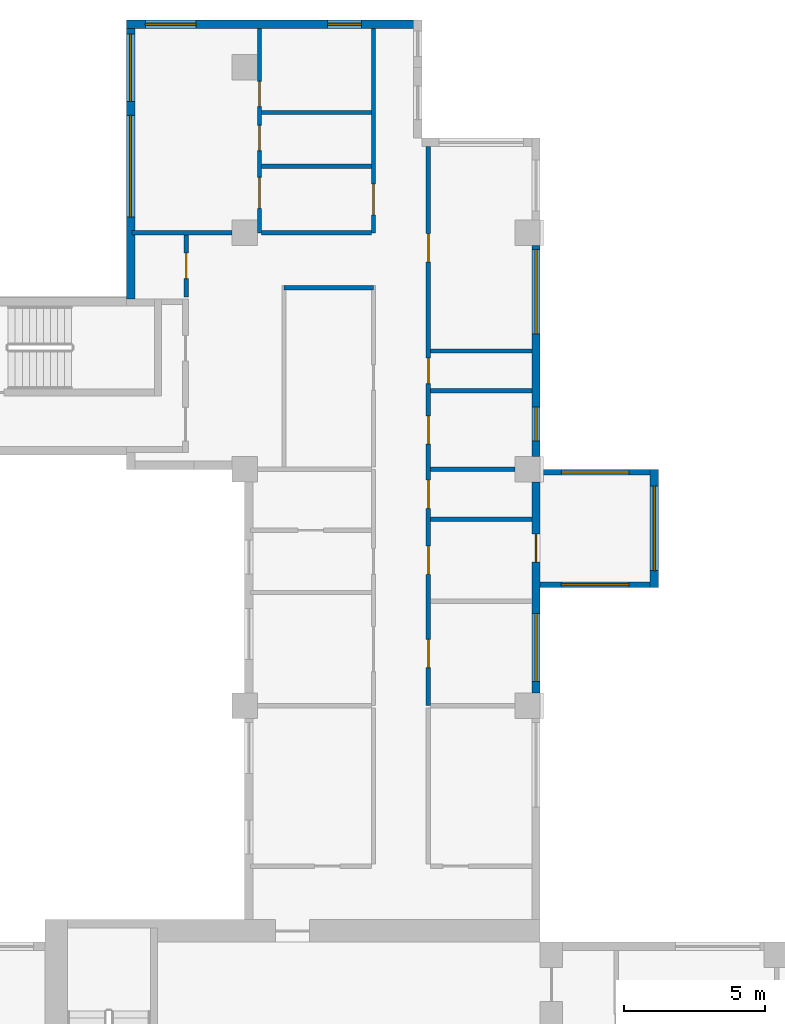
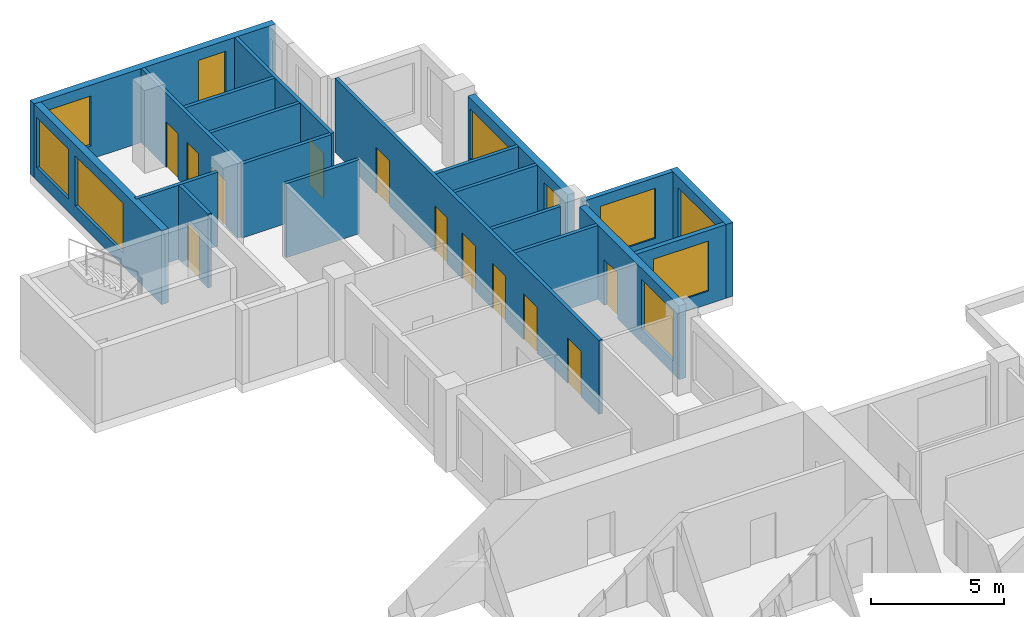
# One storey, part 7 of 12: 20 walls, 12 doors, 10 windows, 22 openings.
"""IFC4 building model written with IfcOpenShell, lengths in metres."""

from ifc_helpers import new_model, si_unit, direction, frame, frame_2d, origin, place, context, subcontext, project, spatial, rectangle, extrude, source, transform, mapped, material, layer, layer_set, type_object, element, fill, save


model = new_model("IFC4")

# Units and contexts
model_context = context("Model", 3, precision=1e-05, world=origin(), true_north=direction((0.0, 1.0)))
body_context = subcontext(model_context, "Body", "Model", "MODEL_VIEW")
ifc_project = project(units=[si_unit("LENGTHUNIT", "METRE"), si_unit("AREAUNIT", "SQUARE_METRE"), si_unit("VOLUMEUNIT", "CUBIC_METRE"), si_unit("PLANEANGLEUNIT", "RADIAN"), si_unit("MASSUNIT", "GRAM", prefix="KILO")], contexts=[model_context])

# Site, building, storey
site_placement = place(None, origin())
site = spatial("IfcSite", under=ifc_project, at=site_placement, CompositionType="ELEMENT")
building_placement = place(site_placement, origin())
building = spatial("IfcBuilding", under=site, at=building_placement, Name="Aurelian Terraces", CompositionType="ELEMENT")
storey_placement = place(building_placement, frame((0.0, 0.0, 189.2)))
storey = spatial("IfcBuildingStorey", under=building, at=storey_placement, Name="L41", CompositionType="ELEMENT", Elevation=189.2)

# Wall, openings, window, door
ifc_material_1 = material(Name="Terracotta rainscreen cladding", Category="masonry")
ifc_layer_1 = layer(ifc_material_1, 0.3)
ifc_layer_set_1 = layer_set([ifc_layer_1], Name="EW-300")
wall_type_1 = type_object("IfcWallType", Name="EW-300", PredefinedType="STANDARD", material=ifc_layer_set_1)
shared_shape_1 = source(origin(), body_context, "Body", "SweptSolid", [
    extrude(rectangle(XDim=7.5, YDim=0.3, at=frame_2d((3.75, 0.0))), origin(), (0.0, 0.0, 1.0), 3.4),
])
wall_1_placement = place(storey_placement, frame((20.85, 29.85, 0.0), z_axis=(0.0, 0.0, 1.0), x_axis=(0.0, 1.0, 0.0)))
wall_1 = element("IfcWall", 1, at=wall_1_placement, inside=storey, type_object=wall_type_1, Name="External wall L41 F08.19", PredefinedType="STANDARD", context=body_context, shape_type="MappedRepresentation", body=[
    mapped(shared_shape_1, transform((0.0, 0.0, 0.0), scale=1.0)),
])
shared_shape_2 = source(origin(), body_context, "Body", "SweptSolid", [
    extrude(rectangle(XDim=2.4, YDim=2.3, at=frame_2d((1.2, 1.15))), frame((0.0, 0.16, 0.0), z_axis=(0.0, -1.0, 0.0), x_axis=(1.0, 0.0, 0.0)), (0.0, 0.0, 1.0), 0.32),
])
opening_1_placement = place(wall_1_placement, frame((0.419, 0.0, 0.6)))
opening_1 = element("IfcOpeningElement", 2, at=opening_1_placement, cuts=wall_1, Name="Opening W2423", PredefinedType="OPENING", context=body_context, shape_type="MappedRepresentation", body=[
    mapped(shared_shape_2, transform((0.0, 0.0, 0.0), scale=1.0)),
])
shared_shape_3 = source(origin(), body_context, "Body", "SweptSolid", [
    extrude(rectangle(XDim=1.0, YDim=2.1, at=frame_2d((0.5, 1.05))), frame((0.0, 0.16, 0.0), z_axis=(0.0, -1.0, 0.0), x_axis=(1.0, 0.0, 0.0)), (0.0, 0.0, 1.0), 0.32),
])
opening_2_placement = place(wall_1_placement, frame((4.65, 0.0, 0.0)))
opening_2 = element("IfcOpeningElement", 3, at=opening_2_placement, cuts=wall_1, Name="Opening 841002", PredefinedType="OPENING", context=body_context, shape_type="MappedRepresentation", body=[
    mapped(shared_shape_3, transform((0.0, 0.0, 0.0), scale=1.0)),
])
ifc_material_2 = material(Name="Clear glazing", Category="glass")
window_type_1 = type_object("IfcWindowType", Name="W-2400x2300", PartitioningType="SINGLE_PANEL", PredefinedType="WINDOW", material=ifc_material_2)
shared_shape_4 = source(origin(), body_context, "Body", "SweptSolid", [
    extrude(rectangle(XDim=2.4, YDim=2.3, at=frame_2d((1.2, 1.15))), frame((0.0, 0.03, 0.0), z_axis=(0.0, -1.0, 0.0), x_axis=(1.0, 0.0, 0.0)), (0.0, 0.0, 1.0), 0.06),
])
window_1_placement = place(opening_1_placement, origin())
window_1 = element("IfcWindow", 4, at=window_1_placement, inside=storey, type_object=window_type_1, Name="Window L41 L41-F08-19-0", OverallHeight=2.3, OverallWidth=2.4, PartitioningType="SINGLE_PANEL", PredefinedType="WINDOW", context=body_context, shape_type="MappedRepresentation", body=[
    mapped(shared_shape_4, transform((0.0, 0.0, 0.0), scale=1.0)),
])
fill(opening_1, window_1)
ifc_material_3 = material(Name="Timber door leaf", Category="wood")
door_type_1 = type_object("IfcDoorType", Name="Room door 1000x2100 left", OperationType="SINGLE_SWING_LEFT", PredefinedType="DOOR", material=ifc_material_3)
shared_shape_5 = source(origin(), body_context, "Body", "SweptSolid", [
    extrude(rectangle(XDim=1.0, YDim=2.1, at=frame_2d((0.5, 1.05))), frame((0.0, 0.025, 0.0), z_axis=(0.0, -1.0, 0.0), x_axis=(1.0, 0.0, 0.0)), (0.0, 0.0, 1.0), 0.05),
])
door_1_placement = place(opening_2_placement, origin())
door_1 = element("IfcDoor", 5, at=door_1_placement, inside=storey, type_object=door_type_1, Name="Door 841002", OperationType="SINGLE_SWING_LEFT", OverallHeight=2.1, OverallWidth=1.0, PredefinedType="DOOR", context=body_context, shape_type="MappedRepresentation", body=[
    mapped(shared_shape_5, transform((0.0, 0.0, 0.0), scale=1.0)),
])
fill(opening_2, door_1)

# Wall, openings, windows
wall_2_placement = place(storey_placement, frame((20.85, 38.25, 0.0), z_axis=(0.0, 0.0, 1.0), x_axis=(0.0, 1.0, 0.0)))
wall_2 = element("IfcWall", 6, at=wall_2_placement, inside=storey, type_object=wall_type_1, Name="External wall L41 F08.20", PredefinedType="STANDARD", context=body_context, shape_type="MappedRepresentation", body=[
    mapped(shared_shape_1, transform((0.0, 0.0, 0.0), scale=1.0)),
])
shared_shape_6 = source(origin(), body_context, "Body", "SweptSolid", [
    extrude(rectangle(XDim=1.2, YDim=2.3, at=frame_2d((0.6, 1.15))), frame((0.0, 0.16, 0.0), z_axis=(0.0, -1.0, 0.0), x_axis=(1.0, 0.0, 0.0)), (0.0, 0.0, 1.0), 0.32),
])
opening_3_placement = place(wall_2_placement, frame((0.557, 0.0, 0.6)))
opening_3 = element("IfcOpeningElement", 7, at=opening_3_placement, cuts=wall_2, Name="Opening W1223", PredefinedType="OPENING", context=body_context, shape_type="MappedRepresentation", body=[
    mapped(shared_shape_6, transform((0.0, 0.0, 0.0), scale=1.0)),
])
shared_shape_7 = source(origin(), body_context, "Body", "SweptSolid", [
    extrude(rectangle(XDim=3.0, YDim=2.3, at=frame_2d((1.5, 1.15))), frame((0.0, 0.16, 0.0), z_axis=(0.0, -1.0, 0.0), x_axis=(1.0, 0.0, 0.0)), (0.0, 0.0, 1.0), 0.32),
])
opening_4_placement = place(wall_2_placement, frame((4.35, 0.0, 0.6)))
opening_4 = element("IfcOpeningElement", 8, at=opening_4_placement, cuts=wall_2, Name="Opening W3023", PredefinedType="OPENING", context=body_context, shape_type="MappedRepresentation", body=[
    mapped(shared_shape_7, transform((0.0, 0.0, 0.0), scale=1.0)),
])
window_type_2 = type_object("IfcWindowType", Name="W-3000x2300", PartitioningType="SINGLE_PANEL", PredefinedType="WINDOW", material=ifc_material_2)
shared_shape_8 = source(origin(), body_context, "Body", "SweptSolid", [
    extrude(rectangle(XDim=3.0, YDim=2.3, at=frame_2d((1.5, 1.15))), frame((0.0, 0.03, 0.0), z_axis=(0.0, -1.0, 0.0), x_axis=(1.0, 0.0, 0.0)), (0.0, 0.0, 1.0), 0.06),
])
window_2_placement = place(opening_4_placement, origin())
window_2 = element("IfcWindow", 9, at=window_2_placement, inside=storey, type_object=window_type_2, Name="Window L41 L41-F08-20-1", OverallHeight=2.3, OverallWidth=3.0, PartitioningType="SINGLE_PANEL", PredefinedType="WINDOW", context=body_context, shape_type="MappedRepresentation", body=[
    mapped(shared_shape_8, transform((0.0, 0.0, 0.0), scale=1.0)),
])
fill(opening_4, window_2)
window_type_3 = type_object("IfcWindowType", Name="W-1200x2300", PartitioningType="SINGLE_PANEL", PredefinedType="WINDOW", material=ifc_material_2)
shared_shape_9 = source(origin(), body_context, "Body", "SweptSolid", [
    extrude(rectangle(XDim=1.2, YDim=2.3, at=frame_2d((0.6, 1.15))), frame((0.0, 0.03, 0.0), z_axis=(0.0, -1.0, 0.0), x_axis=(1.0, 0.0, 0.0)), (0.0, 0.0, 1.0), 0.06),
])
window_3_placement = place(opening_3_placement, origin())
window_3 = element("IfcWindow", 10, at=window_3_placement, inside=storey, type_object=window_type_3, Name="Window L41 L41-F08-20-0", OverallHeight=2.3, OverallWidth=1.2, PartitioningType="SINGLE_PANEL", PredefinedType="WINDOW", context=body_context, shape_type="MappedRepresentation", body=[
    mapped(shared_shape_9, transform((0.0, 0.0, 0.0), scale=1.0)),
])
fill(opening_3, window_3)

# Wall, opening, window
ifc_material_4 = material(Name="Concrete fc' 40 MPa", Category="concrete")
ifc_layer_2 = layer(ifc_material_4, 0.2)
ifc_layer_set_2 = layer_set([ifc_layer_2], Name="BOX BEARING WALL 200")
wall_type_2 = type_object("IfcWallType", Name="BOX BEARING WALL 200", PredefinedType="SOLIDWALL", material=ifc_layer_set_2)
shared_shape_10 = source(origin(), body_context, "Body", "SweptSolid", [
    extrude(rectangle(XDim=3.9, YDim=0.2, at=frame_2d((1.95, 0.0))), origin(), (0.0, 0.0, 1.0), 3.39),
])
wall_3_placement = place(storey_placement, frame((21.0, 33.7, 0.0), z_axis=(0.0, 0.0, 1.0), x_axis=(1.0, 0.0, 0.0)))
wall_3 = element("IfcWall", 11, at=wall_3_placement, inside=storey, type_object=wall_type_2, Name="Box return L41 J57.1", PredefinedType="SOLIDWALL", context=body_context, shape_type="MappedRepresentation", body=[
    mapped(shared_shape_10, transform((0.0, 0.0, 0.0), scale=1.0)),
])
shared_shape_11 = source(origin(), body_context, "Body", "SweptSolid", [
    extrude(rectangle(XDim=2.4, YDim=2.3, at=frame_2d((1.2, 1.15))), frame((0.0, 0.11, 0.0), z_axis=(0.0, -1.0, 0.0), x_axis=(1.0, 0.0, 0.0)), (0.0, 0.0, 1.0), 0.22),
])
opening_5_placement = place(wall_3_placement, frame((0.75, 0.0, 0.6)))
opening_5 = element("IfcOpeningElement", 12, at=opening_5_placement, cuts=wall_3, Name="Opening W2423", PredefinedType="OPENING", context=body_context, shape_type="MappedRepresentation", body=[
    mapped(shared_shape_11, transform((0.0, 0.0, 0.0), scale=1.0)),
])
window_4_placement = place(opening_5_placement, origin())
window_4 = element("IfcWindow", 13, at=window_4_placement, inside=storey, type_object=window_type_1, Name="Window L41 J57-S1", OverallHeight=2.3, OverallWidth=2.4, PartitioningType="SINGLE_PANEL", PredefinedType="WINDOW", context=body_context, shape_type="MappedRepresentation", body=[
    mapped(shared_shape_4, transform((0.0, 0.0, 0.0), scale=1.0)),
])
fill(opening_5, window_4)

wall_4_placement = place(storey_placement, frame((21.0, 37.7, 0.0), z_axis=(0.0, 0.0, 1.0), x_axis=(1.0, 0.0, 0.0)))
wall_4 = element("IfcWall", 14, at=wall_4_placement, inside=storey, type_object=wall_type_2, Name="Box return L41 J57.2", PredefinedType="SOLIDWALL", context=body_context, shape_type="MappedRepresentation", body=[
    mapped(shared_shape_10, transform((0.0, 0.0, 0.0), scale=1.0)),
])
opening_6_placement = place(wall_4_placement, frame((0.75, 0.0, 0.6)))
opening_6 = element("IfcOpeningElement", 15, at=opening_6_placement, cuts=wall_4, Name="Opening W2423", PredefinedType="OPENING", context=body_context, shape_type="MappedRepresentation", body=[
    mapped(shared_shape_11, transform((0.0, 0.0, 0.0), scale=1.0)),
])
window_5_placement = place(opening_6_placement, origin())
window_5 = element("IfcWindow", 16, at=window_5_placement, inside=storey, type_object=window_type_1, Name="Window L41 J57-S2", OverallHeight=2.3, OverallWidth=2.4, PartitioningType="SINGLE_PANEL", PredefinedType="WINDOW", context=body_context, shape_type="MappedRepresentation", body=[
    mapped(shared_shape_4, transform((0.0, 0.0, 0.0), scale=1.0)),
])
fill(opening_6, window_5)

ifc_layer_3 = layer(ifc_material_4, 0.3)
ifc_layer_set_3 = layer_set([ifc_layer_3], Name="BOX BEARING WALL 300")
wall_type_3 = type_object("IfcWallType", Name="BOX BEARING WALL 300", PredefinedType="SOLIDWALL", material=ifc_layer_set_3)
shared_shape_12 = source(origin(), body_context, "Body", "SweptSolid", [
    extrude(rectangle(XDim=4.2, YDim=0.3, at=frame_2d((2.1, 0.0))), origin(), (0.0, 0.0, 1.0), 3.39),
])
wall_5_placement = place(storey_placement, frame((25.05, 33.6, 0.0), z_axis=(0.0, 0.0, 1.0), x_axis=(0.0, 1.0, 0.0)))
wall_5 = element("IfcWall", 17, at=wall_5_placement, inside=storey, type_object=wall_type_3, Name="Box wall L41 J57", PredefinedType="SOLIDWALL", context=body_context, shape_type="MappedRepresentation", body=[
    mapped(shared_shape_12, transform((0.0, 0.0, 0.0), scale=1.0)),
])
opening_7_placement = place(wall_5_placement, frame((0.6, 0.0, 0.6)))
opening_7 = element("IfcOpeningElement", 18, at=opening_7_placement, cuts=wall_5, Name="Opening W3023", PredefinedType="OPENING", context=body_context, shape_type="MappedRepresentation", body=[
    mapped(shared_shape_7, transform((0.0, 0.0, 0.0), scale=1.0)),
])
window_6_placement = place(opening_7_placement, origin())
window_6 = element("IfcWindow", 19, at=window_6_placement, inside=storey, type_object=window_type_2, Name="Window L41 J57-F1", OverallHeight=2.3, OverallWidth=3.0, PartitioningType="SINGLE_PANEL", PredefinedType="WINDOW", context=body_context, shape_type="MappedRepresentation", body=[
    mapped(shared_shape_8, transform((0.0, 0.0, 0.0), scale=1.0)),
])
fill(opening_7, window_6)

# Wall, openings, windows
shared_shape_13 = source(origin(), body_context, "Body", "SweptSolid", [
    extrude(rectangle(XDim=10.5, YDim=0.3, at=frame_2d((5.25, 0.0))), origin(), (0.0, 0.0, 1.0), 3.4),
])
wall_6_placement = place(storey_placement, frame((16.8, 53.61, 0.0), z_axis=(0.0, 0.0, 1.0), x_axis=(-1.0, 0.0, 0.0)))
wall_6 = element("IfcWall", 20, at=wall_6_placement, inside=storey, type_object=wall_type_1, Name="External wall L41 F11.25", PredefinedType="STANDARD", context=body_context, shape_type="MappedRepresentation", body=[
    mapped(shared_shape_13, transform((0.0, 0.0, 0.0), scale=1.0)),
])
opening_8_placement = place(wall_6_placement, frame((2.15, 0.0, 0.6)))
opening_8 = element("IfcOpeningElement", 21, at=opening_8_placement, cuts=wall_6, Name="Opening W1223", PredefinedType="OPENING", context=body_context, shape_type="MappedRepresentation", body=[
    mapped(shared_shape_6, transform((0.0, 0.0, 0.0), scale=1.0)),
])
shared_shape_14 = source(origin(), body_context, "Body", "SweptSolid", [
    extrude(rectangle(XDim=1.8, YDim=2.3, at=frame_2d((0.9, 1.15))), frame((0.0, 0.16, 0.0), z_axis=(0.0, -1.0, 0.0), x_axis=(1.0, 0.0, 0.0)), (0.0, 0.0, 1.0), 0.32),
])
opening_9_placement = place(wall_6_placement, frame((8.025, 0.0, 0.6)))
opening_9 = element("IfcOpeningElement", 22, at=opening_9_placement, cuts=wall_6, Name="Opening W1823", PredefinedType="OPENING", context=body_context, shape_type="MappedRepresentation", body=[
    mapped(shared_shape_14, transform((0.0, 0.0, 0.0), scale=1.0)),
])
window_7_placement = place(opening_8_placement, origin())
window_7 = element("IfcWindow", 23, at=window_7_placement, inside=storey, type_object=window_type_3, Name="Window L41 L41-F11-25-0", OverallHeight=2.3, OverallWidth=1.2, PartitioningType="SINGLE_PANEL", PredefinedType="WINDOW", context=body_context, shape_type="MappedRepresentation", body=[
    mapped(shared_shape_9, transform((0.0, 0.0, 0.0), scale=1.0)),
])
fill(opening_8, window_7)
window_type_4 = type_object("IfcWindowType", Name="W-1800x2300", PartitioningType="SINGLE_PANEL", PredefinedType="WINDOW", material=ifc_material_2)
shared_shape_15 = source(origin(), body_context, "Body", "SweptSolid", [
    extrude(rectangle(XDim=1.8, YDim=2.3, at=frame_2d((0.9, 1.15))), frame((0.0, 0.03, 0.0), z_axis=(0.0, -1.0, 0.0), x_axis=(1.0, 0.0, 0.0)), (0.0, 0.0, 1.0), 0.06),
])
window_8_placement = place(opening_9_placement, origin())
window_8 = element("IfcWindow", 24, at=window_8_placement, inside=storey, type_object=window_type_4, Name="Window L41 L41-F11-25-2", OverallHeight=2.3, OverallWidth=1.8, PartitioningType="SINGLE_PANEL", PredefinedType="WINDOW", context=body_context, shape_type="MappedRepresentation", body=[
    mapped(shared_shape_15, transform((0.0, 0.0, 0.0), scale=1.0)),
])
fill(opening_9, window_8)

shared_shape_16 = source(origin(), body_context, "Body", "SweptSolid", [
    extrude(rectangle(XDim=9.91, YDim=0.3, at=frame_2d((4.955, 0.0))), origin(), (0.0, 0.0, 1.0), 3.4),
])
wall_7_placement = place(storey_placement, frame((6.45, 53.76, 0.0), z_axis=(0.0, 0.0, 1.0), x_axis=(0.0, -1.0, 0.0)))
wall_7 = element("IfcWall", 25, at=wall_7_placement, inside=storey, type_object=wall_type_1, Name="External wall L41 F12.26", PredefinedType="STANDARD", context=body_context, shape_type="MappedRepresentation", body=[
    mapped(shared_shape_16, transform((0.0, 0.0, 0.0), scale=1.0)),
])
shared_shape_17 = source(origin(), body_context, "Body", "SweptSolid", [
    extrude(rectangle(XDim=3.6, YDim=2.3, at=frame_2d((1.8, 1.15))), frame((0.0, 0.16, 0.0), z_axis=(0.0, -1.0, 0.0), x_axis=(1.0, 0.0, 0.0)), (0.0, 0.0, 1.0), 0.32),
])
opening_10_placement = place(wall_7_placement, frame((3.39, 0.0, 0.6)))
opening_10 = element("IfcOpeningElement", 26, at=opening_10_placement, cuts=wall_7, Name="Opening W3623", PredefinedType="OPENING", context=body_context, shape_type="MappedRepresentation", body=[
    mapped(shared_shape_17, transform((0.0, 0.0, 0.0), scale=1.0)),
])
opening_11_placement = place(wall_7_placement, frame((0.495, 0.0, 0.6)))
opening_11 = element("IfcOpeningElement", 27, at=opening_11_placement, cuts=wall_7, Name="Opening W2423", PredefinedType="OPENING", context=body_context, shape_type="MappedRepresentation", body=[
    mapped(shared_shape_2, transform((0.0, 0.0, 0.0), scale=1.0)),
])
window_type_5 = type_object("IfcWindowType", Name="W-3600x2300", PartitioningType="SINGLE_PANEL", PredefinedType="WINDOW", material=ifc_material_2)
shared_shape_18 = source(origin(), body_context, "Body", "SweptSolid", [
    extrude(rectangle(XDim=3.6, YDim=2.3, at=frame_2d((1.8, 1.15))), frame((0.0, 0.03, 0.0), z_axis=(0.0, -1.0, 0.0), x_axis=(1.0, 0.0, 0.0)), (0.0, 0.0, 1.0), 0.06),
])
window_9_placement = place(opening_10_placement, origin())
window_9 = element("IfcWindow", 28, at=window_9_placement, inside=storey, type_object=window_type_5, Name="Window L41 L41-F12-26-1", OverallHeight=2.3, OverallWidth=3.6, PartitioningType="SINGLE_PANEL", PredefinedType="WINDOW", context=body_context, shape_type="MappedRepresentation", body=[
    mapped(shared_shape_18, transform((0.0, 0.0, 0.0), scale=1.0)),
])
fill(opening_10, window_9)
window_10_placement = place(opening_11_placement, origin())
window_10 = element("IfcWindow", 29, at=window_10_placement, inside=storey, type_object=window_type_1, Name="Window L41 L41-F12-26-G0-0", OverallHeight=2.3, OverallWidth=2.4, PartitioningType="SINGLE_PANEL", PredefinedType="WINDOW", context=body_context, shape_type="MappedRepresentation", body=[
    mapped(shared_shape_4, transform((0.0, 0.0, 0.0), scale=1.0)),
])
fill(opening_11, window_10)

# Walls
ifc_material_5 = material(Name="Gypsum board on steel studs", Category="steel")
ifc_layer_4 = layer(ifc_material_5, 0.15)
ifc_layer_set_4 = layer_set([ifc_layer_4], Name="Partition 150")
wall_type_4 = type_object("IfcWallType", Name="Partition 150", PredefinedType="PARTITIONING", material=ifc_layer_set_4)
shared_shape_19 = source(origin(), body_context, "Body", "SweptSolid", [
    extrude(rectangle(XDim=3.9, YDim=0.15, at=frame_2d((1.95, 0.0))), origin(), (0.0, 0.0, 1.0), 3.4),
])
for number, where, z_axis, x_axis, name in (
    (30, (15.0, 48.5681, 0.0), (0.0, 0.0, 1.0), (-1.0, 0.0, 0.0), "Partition"),
    (31, (15.0, 50.4718, 0.0), (0.0, 0.0, 1.0), (-1.0, 0.0, 0.0), "Partition"),
):
    element("IfcWall", number, at=place(storey_placement, frame(where, z_axis=z_axis, x_axis=x_axis)), inside=storey, type_object=wall_type_4, Name=name, PredefinedType="PARTITIONING", context=body_context, shape_type="MappedRepresentation", body=[
        mapped(shared_shape_19, transform((0.0, 0.0, 0.0), scale=1.0)),
    ])
ifc_layer_5 = layer(ifc_material_5, 0.15)
ifc_layer_set_5 = layer_set([ifc_layer_5], Name="Fire partition 150")
wall_type_5 = type_object("IfcWallType", Name="Fire partition 150", PredefinedType="PARTITIONING", material=ifc_layer_set_5)
wall_8_placement = place(storey_placement, frame((15.0, 46.2, 0.0), z_axis=(0.0, 0.0, 1.0), x_axis=(-1.0, 0.0, 0.0)))
element("IfcWall", 32, at=wall_8_placement, inside=storey, type_object=wall_type_5, Name="Party wall", PredefinedType="PARTITIONING", context=body_context, shape_type="MappedRepresentation", body=[
    mapped(shared_shape_19, transform((0.0, 0.0, 0.0), scale=1.0)),
])
shared_shape_20 = source(origin(), body_context, "Body", "SweptSolid", [
    extrude(rectangle(XDim=3.6, YDim=0.15, at=frame_2d((1.8, 0.0))), origin(), (0.0, 0.0, 1.0), 3.4),
])
for number, where, z_axis, x_axis, name in (
    (33, (17.1, 36.024, 0.0), (0.0, 0.0, 1.0), (1.0, 0.0, 0.0), "Partition"),
    (34, (17.1, 40.5885, 0.0), (0.0, 0.0, 1.0), (1.0, 0.0, 0.0), "Partition"),
):
    element("IfcWall", number, at=place(storey_placement, frame(where, z_axis=z_axis, x_axis=x_axis)), inside=storey, type_object=wall_type_4, Name=name, PredefinedType="PARTITIONING", context=body_context, shape_type="MappedRepresentation", body=[
        mapped(shared_shape_20, transform((0.0, 0.0, 0.0), scale=1.0)),
    ])
wall_9_placement = place(storey_placement, frame((20.7, 42.0, 0.0), z_axis=(0.0, 0.0, 1.0), x_axis=(-1.0, 0.0, 0.0)))
element("IfcWall", 35, at=wall_9_placement, inside=storey, type_object=wall_type_5, Name="Party wall", PredefinedType="PARTITIONING", context=body_context, shape_type="MappedRepresentation", body=[
    mapped(shared_shape_20, transform((0.0, 0.0, 0.0), scale=1.0)),
])
shared_shape_21 = source(origin(), body_context, "Body", "SweptSolid", [
    extrude(rectangle(XDim=3.001, YDim=0.15, at=frame_2d((1.5005, 0.0))), origin(), (0.0, 0.0, 1.0), 3.4),
])
wall_10_placement = place(storey_placement, frame((20.101, 37.8, 0.0), z_axis=(0.0, 0.0, 1.0), x_axis=(-1.0, 0.0, 0.0)))
element("IfcWall", 36, at=wall_10_placement, inside=storey, type_object=wall_type_5, Name="Party wall", PredefinedType="PARTITIONING", context=body_context, shape_type="MappedRepresentation", body=[
    mapped(shared_shape_21, transform((0.0, 0.0, 0.0), scale=1.0)),
])

# Wall, opening, door
shared_shape_22 = source(origin(), body_context, "Body", "SweptSolid", [
    extrude(rectangle(XDim=2.2, YDim=0.15, at=frame_2d((1.1, 0.0))), origin(), (0.0, 0.0, 1.0), 3.4),
])
wall_11_placement = place(storey_placement, frame((8.425, 43.925, 0.0), z_axis=(0.0, 0.0, 1.0), x_axis=(0.0, 1.0, 0.0)))
wall_11 = element("IfcWall", 37, at=wall_11_placement, inside=storey, type_object=wall_type_4, Name="Partition", PredefinedType="PARTITIONING", context=body_context, shape_type="MappedRepresentation", body=[
    mapped(shared_shape_22, transform((0.0, 0.0, 0.0), scale=1.0)),
])
shared_shape_23 = source(origin(), body_context, "Body", "SweptSolid", [
    extrude(rectangle(XDim=0.9, YDim=2.1, at=frame_2d((0.45, 1.05))), frame((0.0, 0.085, 0.0), z_axis=(0.0, -1.0, 0.0), x_axis=(1.0, 0.0, 0.0)), (0.0, 0.0, 1.0), 0.17),
])
opening_12_placement = place(wall_11_placement, frame((0.65, 0.0, 0.0)))
opening_12 = element("IfcOpeningElement", 38, at=opening_12_placement, cuts=wall_11, Name="Opening 741023", PredefinedType="OPENING", context=body_context, shape_type="MappedRepresentation", body=[
    mapped(shared_shape_23, transform((0.0, 0.0, 0.0), scale=1.0)),
])
door_type_2 = type_object("IfcDoorType", Name="Room door 900x2100 right", OperationType="SINGLE_SWING_RIGHT", PredefinedType="DOOR", material=ifc_material_3)
shared_shape_24 = source(origin(), body_context, "Body", "SweptSolid", [
    extrude(rectangle(XDim=0.9, YDim=2.1, at=frame_2d((0.45, 1.05))), frame((0.0, 0.025, 0.0), z_axis=(0.0, -1.0, 0.0), x_axis=(1.0, 0.0, 0.0)), (0.0, 0.0, 1.0), 0.05),
])
door_2_placement = place(opening_12_placement, origin())
door_2 = element("IfcDoor", 39, at=door_2_placement, inside=storey, type_object=door_type_2, Name="Door 741023", OperationType="SINGLE_SWING_RIGHT", OverallHeight=2.1, OverallWidth=0.9, PredefinedType="DOOR", context=body_context, shape_type="MappedRepresentation", body=[
    mapped(shared_shape_24, transform((0.0, 0.0, 0.0), scale=1.0)),
])
fill(opening_12, door_2)

# Wall
shared_shape_25 = source(origin(), body_context, "Body", "SweptSolid", [
    extrude(rectangle(XDim=3.546, YDim=0.15, at=frame_2d((1.773, 0.0))), origin(), (0.0, 0.0, 1.0), 3.4),
])
wall_12_placement = place(storey_placement, frame((10.051, 46.2, 0.0), z_axis=(0.0, 0.0, 1.0), x_axis=(-1.0, 0.0, 0.0)))
element("IfcWall", 40, at=wall_12_placement, inside=storey, type_object=wall_type_5, Name="Party wall", PredefinedType="PARTITIONING", context=body_context, shape_type="MappedRepresentation", body=[
    mapped(shared_shape_25, transform((0.0, 0.0, 0.0), scale=1.0)),
])

# Wall, openings, doors
shared_shape_26 = source(origin(), body_context, "Body", "SweptSolid", [
    extrude(rectangle(XDim=7.26, YDim=0.15, at=frame_2d((3.63, 0.0))), origin(), (0.0, 0.0, 1.0), 3.4),
])
wall_13_placement = place(storey_placement, frame((11.025, 46.2, 0.0), z_axis=(0.0, 0.0, 1.0), x_axis=(0.0, 1.0, 0.0)))
wall_13 = element("IfcWall", 41, at=wall_13_placement, inside=storey, type_object=wall_type_4, Name="Partition", PredefinedType="PARTITIONING", context=body_context, shape_type="MappedRepresentation", body=[
    mapped(shared_shape_26, transform((0.0, 0.0, 0.0), scale=1.0)),
])
shared_shape_27 = source(origin(), body_context, "Body", "SweptSolid", [
    extrude(rectangle(XDim=1.1, YDim=2.1, at=frame_2d((0.55, 1.05))), frame((0.0, 0.085, 0.0), z_axis=(0.0, -1.0, 0.0), x_axis=(1.0, 0.0, 0.0)), (0.0, 0.0, 1.0), 0.17),
])
opening_13_placement = place(wall_13_placement, frame((0.8715, 0.0, 0.0)))
opening_13 = element("IfcOpeningElement", 42, at=opening_13_placement, cuts=wall_13, Name="Opening 741027", PredefinedType="OPENING", context=body_context, shape_type="MappedRepresentation", body=[
    mapped(shared_shape_27, transform((0.0, 0.0, 0.0), scale=1.0)),
])
opening_14_placement = place(wall_13_placement, frame((2.9199, 0.0, 0.0)))
opening_14 = element("IfcOpeningElement", 43, at=opening_14_placement, cuts=wall_13, Name="Opening 741028", PredefinedType="OPENING", context=body_context, shape_type="MappedRepresentation", body=[
    mapped(shared_shape_23, transform((0.0, 0.0, 0.0), scale=1.0)),
])
opening_15_placement = place(wall_13_placement, frame((4.4784, 0.0, 0.0)))
opening_15 = element("IfcOpeningElement", 44, at=opening_15_placement, cuts=wall_13, Name="Opening 741029", PredefinedType="OPENING", context=body_context, shape_type="MappedRepresentation", body=[
    mapped(shared_shape_23, transform((0.0, 0.0, 0.0), scale=1.0)),
])
door_type_3 = type_object("IfcDoorType", Name="Room door 900x2100 left", OperationType="SINGLE_SWING_LEFT", PredefinedType="DOOR", material=ifc_material_3)
door_3_placement = place(opening_14_placement, origin())
door_3 = element("IfcDoor", 45, at=door_3_placement, inside=storey, type_object=door_type_3, Name="Door 741028", OperationType="SINGLE_SWING_LEFT", OverallHeight=2.1, OverallWidth=0.9, PredefinedType="DOOR", context=body_context, shape_type="MappedRepresentation", body=[
    mapped(shared_shape_24, transform((0.0, 0.0, 0.0), scale=1.0)),
])
fill(opening_14, door_3)
door_4_placement = place(opening_15_placement, origin())
door_4 = element("IfcDoor", 46, at=door_4_placement, inside=storey, type_object=door_type_2, Name="Door 741029", OperationType="SINGLE_SWING_RIGHT", OverallHeight=2.1, OverallWidth=0.9, PredefinedType="DOOR", context=body_context, shape_type="MappedRepresentation", body=[
    mapped(shared_shape_24, transform((0.0, 0.0, 0.0), scale=1.0)),
])
fill(opening_15, door_4)
door_type_4 = type_object("IfcDoorType", Name="Room door 1100x2100 right", OperationType="SINGLE_SWING_RIGHT", PredefinedType="DOOR", material=ifc_material_3)
shared_shape_28 = source(origin(), body_context, "Body", "SweptSolid", [
    extrude(rectangle(XDim=1.1, YDim=2.1, at=frame_2d((0.55, 1.05))), frame((0.0, 0.025, 0.0), z_axis=(0.0, -1.0, 0.0), x_axis=(1.0, 0.0, 0.0)), (0.0, 0.0, 1.0), 0.05),
])
door_5_placement = place(opening_13_placement, origin())
door_5 = element("IfcDoor", 47, at=door_5_placement, inside=storey, type_object=door_type_4, Name="Door 741027", OperationType="SINGLE_SWING_RIGHT", OverallHeight=2.1, OverallWidth=1.1, PredefinedType="DOOR", context=body_context, shape_type="MappedRepresentation", body=[
    mapped(shared_shape_28, transform((0.0, 0.0, 0.0), scale=1.0)),
])
fill(opening_13, door_5)

# Wall, opening, door
wall_14_placement = place(storey_placement, frame((15.075, 46.2, 0.0), z_axis=(0.0, 0.0, 1.0), x_axis=(0.0, 1.0, 0.0)))
wall_14 = element("IfcWall", 48, at=wall_14_placement, inside=storey, type_object=wall_type_5, Name="Corridor wall", PredefinedType="PARTITIONING", context=body_context, shape_type="MappedRepresentation", body=[
    mapped(shared_shape_26, transform((0.0, 0.0, 0.0), scale=1.0)),
])
opening_16_placement = place(wall_14_placement, frame((0.634, 0.0, 0.0)))
opening_16 = element("IfcOpeningElement", 49, at=opening_16_placement, cuts=wall_14, Name="Opening 741026", PredefinedType="OPENING", context=body_context, shape_type="MappedRepresentation", body=[
    mapped(shared_shape_27, transform((0.0, 0.0, 0.0), scale=1.0)),
])
ifc_material_6 = material(Name="Steel door leaf", Category="steel")
door_type_5 = type_object("IfcDoorType", Name="Entrance fire door 1100x2100 left", OperationType="SINGLE_SWING_LEFT", PredefinedType="DOOR", material=ifc_material_6)
door_6_placement = place(opening_16_placement, origin())
door_6 = element("IfcDoor", 50, at=door_6_placement, inside=storey, type_object=door_type_5, Name="Door 741026", OperationType="SINGLE_SWING_LEFT", OverallHeight=2.1, OverallWidth=1.1, PredefinedType="DOOR", context=body_context, shape_type="MappedRepresentation", body=[
    mapped(shared_shape_28, transform((0.0, 0.0, 0.0), scale=1.0)),
])
fill(opening_16, door_6)

# Wall, openings, doors
shared_shape_29 = source(origin(), body_context, "Body", "SweptSolid", [
    extrude(rectangle(XDim=19.86, YDim=0.15, at=frame_2d((9.93, 0.0))), origin(), (0.0, 0.0, 1.0), 3.4),
])
wall_15_placement = place(storey_placement, frame((17.025, 49.26, 0.0), z_axis=(0.0, 0.0, 1.0), x_axis=(0.0, -1.0, 0.0)))
wall_15 = element("IfcWall", 51, at=wall_15_placement, inside=storey, type_object=wall_type_5, Name="Corridor wall", PredefinedType="PARTITIONING", context=body_context, shape_type="MappedRepresentation", body=[
    mapped(shared_shape_29, transform((0.0, 0.0, 0.0), scale=1.0)),
])
shared_shape_30 = source(origin(), body_context, "Body", "SweptSolid", [
    extrude(rectangle(XDim=1.0, YDim=2.1, at=frame_2d((0.5, 1.05))), frame((0.0, 0.085, 0.0), z_axis=(0.0, -1.0, 0.0), x_axis=(1.0, 0.0, 0.0)), (0.0, 0.0, 1.0), 0.17),
])
opening_17_placement = place(wall_15_placement, frame((17.5033, 0.0, 0.0)))
opening_17 = element("IfcOpeningElement", 52, at=opening_17_placement, cuts=wall_15, Name="Opening 741030", PredefinedType="OPENING", context=body_context, shape_type="MappedRepresentation", body=[
    mapped(shared_shape_30, transform((0.0, 0.0, 0.0), scale=1.0)),
])
opening_18_placement = place(wall_15_placement, frame((14.1914, 0.0, 0.0)))
opening_18 = element("IfcOpeningElement", 53, at=opening_18_placement, cuts=wall_15, Name="Opening 741031", PredefinedType="OPENING", context=body_context, shape_type="MappedRepresentation", body=[
    mapped(shared_shape_30, transform((0.0, 0.0, 0.0), scale=1.0)),
])
opening_19_placement = place(wall_15_placement, frame((11.848, 0.0, 0.0)))
opening_19 = element("IfcOpeningElement", 54, at=opening_19_placement, cuts=wall_15, Name="Opening 741032", PredefinedType="OPENING", context=body_context, shape_type="MappedRepresentation", body=[
    mapped(shared_shape_30, transform((0.0, 0.0, 0.0), scale=1.0)),
])
opening_20_placement = place(wall_15_placement, frame((9.5658, 0.0, 0.0)))
opening_20 = element("IfcOpeningElement", 55, at=opening_20_placement, cuts=wall_15, Name="Opening 741033", PredefinedType="OPENING", context=body_context, shape_type="MappedRepresentation", body=[
    mapped(shared_shape_30, transform((0.0, 0.0, 0.0), scale=1.0)),
])
opening_21_placement = place(wall_15_placement, frame((7.5158, 0.0, 0.0)))
opening_21 = element("IfcOpeningElement", 56, at=opening_21_placement, cuts=wall_15, Name="Opening 741034", PredefinedType="OPENING", context=body_context, shape_type="MappedRepresentation", body=[
    mapped(shared_shape_23, transform((0.0, 0.0, 0.0), scale=1.0)),
])
opening_22_placement = place(wall_15_placement, frame((3.0925, 0.0, 0.0)))
opening_22 = element("IfcOpeningElement", 57, at=opening_22_placement, cuts=wall_15, Name="Opening 741035", PredefinedType="OPENING", context=body_context, shape_type="MappedRepresentation", body=[
    mapped(shared_shape_30, transform((0.0, 0.0, 0.0), scale=1.0)),
])
door_type_6 = type_object("IfcDoorType", Name="Entrance fire door 1000x2100 left", OperationType="SINGLE_SWING_LEFT", PredefinedType="DOOR", material=ifc_material_6)
door_7_placement = place(opening_17_placement, origin())
door_7 = element("IfcDoor", 58, at=door_7_placement, inside=storey, type_object=door_type_6, Name="Door 741030", OperationType="SINGLE_SWING_LEFT", OverallHeight=2.1, OverallWidth=1.0, PredefinedType="DOOR", context=body_context, shape_type="MappedRepresentation", body=[
    mapped(shared_shape_5, transform((0.0, 0.0, 0.0), scale=1.0)),
])
fill(opening_17, door_7)
door_type_7 = type_object("IfcDoorType", Name="Entrance fire door 1000x2100 right", OperationType="SINGLE_SWING_RIGHT", PredefinedType="DOOR", material=ifc_material_6)
door_8_placement = place(opening_18_placement, origin())
door_8 = element("IfcDoor", 59, at=door_8_placement, inside=storey, type_object=door_type_7, Name="Door 741031", OperationType="SINGLE_SWING_RIGHT", OverallHeight=2.1, OverallWidth=1.0, PredefinedType="DOOR", context=body_context, shape_type="MappedRepresentation", body=[
    mapped(shared_shape_5, transform((0.0, 0.0, 0.0), scale=1.0)),
])
fill(opening_18, door_8)
door_9_placement = place(opening_19_placement, origin())
door_9 = element("IfcDoor", 60, at=door_9_placement, inside=storey, type_object=door_type_6, Name="Door 741032", OperationType="SINGLE_SWING_LEFT", OverallHeight=2.1, OverallWidth=1.0, PredefinedType="DOOR", context=body_context, shape_type="MappedRepresentation", body=[
    mapped(shared_shape_5, transform((0.0, 0.0, 0.0), scale=1.0)),
])
fill(opening_19, door_9)
door_10_placement = place(opening_20_placement, origin())
door_10 = element("IfcDoor", 61, at=door_10_placement, inside=storey, type_object=door_type_6, Name="Door 741033", OperationType="SINGLE_SWING_LEFT", OverallHeight=2.1, OverallWidth=1.0, PredefinedType="DOOR", context=body_context, shape_type="MappedRepresentation", body=[
    mapped(shared_shape_5, transform((0.0, 0.0, 0.0), scale=1.0)),
])
fill(opening_20, door_10)
door_11_placement = place(opening_22_placement, origin())
door_11 = element("IfcDoor", 62, at=door_11_placement, inside=storey, type_object=door_type_6, Name="Door 741035", OperationType="SINGLE_SWING_LEFT", OverallHeight=2.1, OverallWidth=1.0, PredefinedType="DOOR", context=body_context, shape_type="MappedRepresentation", body=[
    mapped(shared_shape_5, transform((0.0, 0.0, 0.0), scale=1.0)),
])
fill(opening_22, door_11)
door_type_8 = type_object("IfcDoorType", Name="Entrance fire door 900x2100 right", OperationType="SINGLE_SWING_RIGHT", PredefinedType="DOOR", material=ifc_material_6)
door_12_placement = place(opening_21_placement, origin())
door_12 = element("IfcDoor", 63, at=door_12_placement, inside=storey, type_object=door_type_8, Name="Door 741034", OperationType="SINGLE_SWING_RIGHT", OverallHeight=2.1, OverallWidth=0.9, PredefinedType="DOOR", context=body_context, shape_type="MappedRepresentation", body=[
    mapped(shared_shape_24, transform((0.0, 0.0, 0.0), scale=1.0)),
])
fill(opening_21, door_12)

# Wall
shared_shape_31 = source(origin(), body_context, "Body", "SweptSolid", [
    extrude(rectangle(XDim=3.175, YDim=0.15, at=frame_2d((1.5875, 0.0))), origin(), (0.0, 0.0, 1.0), 3.4),
])
wall_16_placement = place(storey_placement, frame((15.075, 44.25, 0.0), z_axis=(0.0, 0.0, 1.0), x_axis=(-1.0, 0.0, 0.0)))
element("IfcWall", 64, at=wall_16_placement, inside=storey, type_object=wall_type_4, Name="Partition", PredefinedType="PARTITIONING", context=body_context, shape_type="MappedRepresentation", body=[
    mapped(shared_shape_31, transform((0.0, 0.0, 0.0), scale=1.0)),
])

save(model, "model.ifc")
